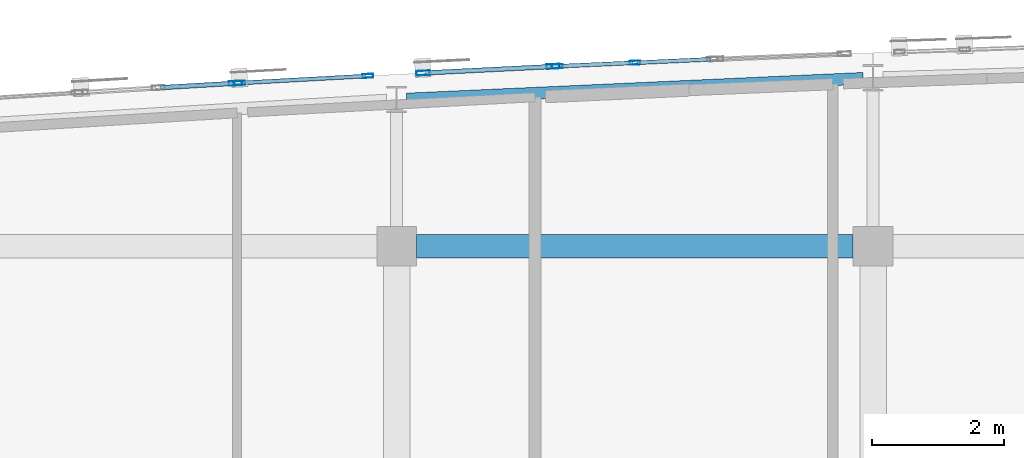
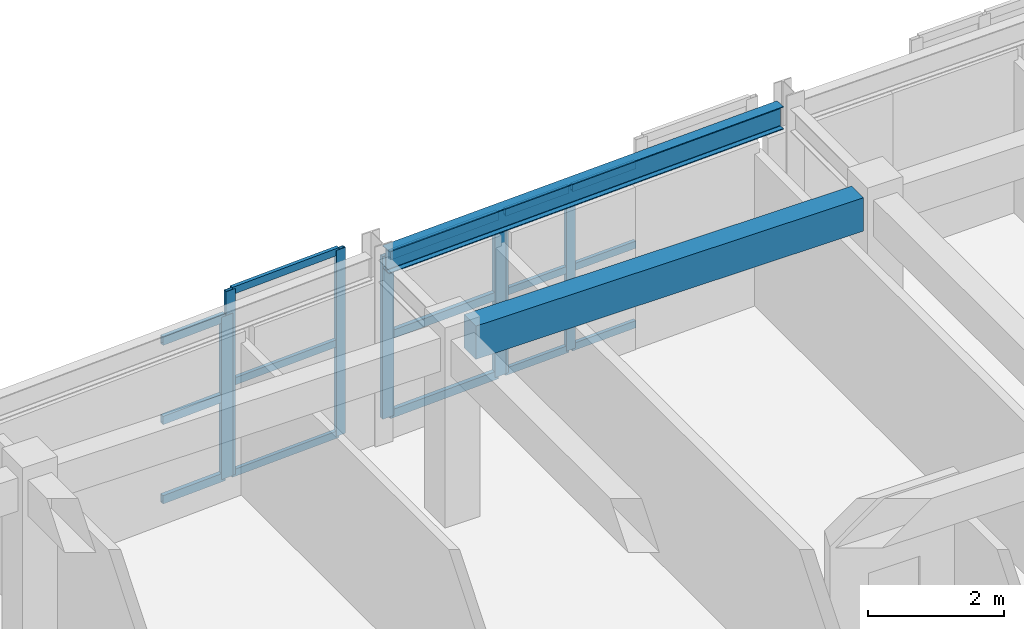
# One storey, part 14 of 50: 22 members, 2 beams, 4 elements without a shape of their own.
"""IFC4 building model written with IfcOpenShell, lengths in metres."""

import ifcopenshell
import ifcopenshell.guid

model = None  # the IFC model being written
_history = None  # IfcOwnerHistory: only IFC2X3 demands one
_inside = {}  # id of a spatial element -> (the spatial element, [elements in it])
_under = {}  # id of a project, library or spatial element -> (it, [spatial elements below it])
_declared = {}  # id of a project -> (the project, [libraries it declares])
_typed = {}  # id of a type object -> (the type object, [elements of that type])
_made_of = {}  # id of a material, layer set ... -> (it, [elements and type objects made of it])


def new_model(schema):
    """Start an empty IFC model of exactly this schema.

    Asked for "IFC4X3", IfcOpenShell would pick the latest addendum, in which some entities
    have other attributes; the version numbers below select the first issue.
    IFC2X3 requires an IfcOwnerHistory on every rooted entity: one is made here for all.
    """
    global model, _history
    if schema == "IFC4X3":
        model = ifcopenshell.file(schema_version=(4, 3, 0, 0))
    else:
        model = ifcopenshell.file(schema=schema)
    _inside.clear()
    _under.clear()
    _declared.clear()
    _typed.clear()
    _made_of.clear()
    _history = None
    if model.schema == "IFC2X3":
        org = make("IfcOrganization", Name="unknown")
        user = make(
            "IfcPersonAndOrganization",
            ThePerson=make("IfcPerson", FamilyName="unknown"),
            TheOrganization=org,
        )
        app = make(
            "IfcApplication",
            ApplicationDeveloper=org,
            Version="unknown",
            ApplicationFullName="unknown",
            ApplicationIdentifier="unknown",
        )
        _history = make(
            "IfcOwnerHistory",
            OwningUser=user,
            OwningApplication=app,
            ChangeAction="ADDED",
            CreationDate=0,
        )
    return model


def make(cls, **values):
    """One entity of the class cls with the attributes given. An attribute that is None is left unset."""
    return model.create_entity(
        cls, **{name: value for name, value in values.items() if value is not None}
    )


def rooted(cls, **values):
    """An entity with a GlobalId (a new one), such as an element, a storey or a relation."""
    return make(cls, GlobalId=ifcopenshell.guid.new(), OwnerHistory=_history, **values)


def si_unit(unit_type, name, prefix=None):
    """IfcSIUnit, for example si_unit("LENGTHUNIT", "METRE", prefix="MILLI")."""
    return make("IfcSIUnit", UnitType=unit_type, Prefix=prefix, Name=name)


def assignment(units):
    """IfcUnitAssignment: the units of a project."""
    return None if units is None else make("IfcUnitAssignment", Units=units)


def point(xyz):
    """IfcCartesianPoint."""
    return None if xyz is None else make("IfcCartesianPoint", Coordinates=xyz)


def direction(xyz):
    """IfcDirection."""
    return None if xyz is None else make("IfcDirection", DirectionRatios=xyz)


def frame(location, z_axis=None, x_axis=None):
    """IfcAxis2Placement3D, a coordinate frame: its origin and axes. An axis left out is left unset."""
    return make(
        "IfcAxis2Placement3D",
        Location=point(location),
        Axis=direction(z_axis),
        RefDirection=direction(x_axis),
    )


def frame_2d(location, x_axis=None):
    """IfcAxis2Placement2D, a coordinate frame in the plane: its origin and x axis."""
    return make(
        "IfcAxis2Placement2D", Location=point(location), RefDirection=direction(x_axis)
    )


def origin():
    """The frame at (0, 0, 0) with its axes left unset."""
    return frame((0.0, 0.0, 0.0))


def origin_2d():
    """The frame at (0, 0) in the plane with its x axis left unset."""
    return frame_2d((0.0, 0.0))


def place(relative_to, where):
    """IfcLocalPlacement: puts the frame where relative to a parent placement (None: the world)."""
    return make(
        "IfcLocalPlacement", PlacementRelTo=relative_to, RelativePlacement=where
    )


def context(
    kind, dimensions, precision=None, world=None, true_north=None, identifier=None
):
    """IfcGeometricRepresentationContext, for example the 3D "Model" context."""
    return make(
        "IfcGeometricRepresentationContext",
        ContextIdentifier=identifier,
        ContextType=kind,
        CoordinateSpaceDimension=dimensions,
        Precision=precision,
        WorldCoordinateSystem=world,
        TrueNorth=true_north,
    )


def subcontext(parent, identifier, kind, view, scale=None):
    """IfcGeometricRepresentationSubContext, for example "Body" below "Model"."""
    return make(
        "IfcGeometricRepresentationSubContext",
        ContextIdentifier=identifier,
        ContextType=kind,
        ParentContext=parent,
        TargetScale=scale,
        TargetView=view,
    )


def project(units=None, contexts=None):
    """IfcProject with its units and contexts."""
    return rooted(
        "IfcProject",
        Name="project",
        RepresentationContexts=contexts,
        UnitsInContext=assignment(units),
    )


def spatial(cls, under=None, at=None, **own):
    """A site, building, storey or space (cls), placed at a placement, below another one or the project."""
    s = rooted(cls, ObjectPlacement=at, **own)
    if under is not None:
        _under.setdefault(under.id(), (under, []))[1].append(s)
    return s


def profile(cls, at=None, kind="AREA", **sizes):
    """A parametric profile (cls). Its sizes go by their IFC names, for example OverallWidth=200.0."""
    return make(cls, ProfileType=kind, Position=at, **sizes)


def rectangle(**sizes):
    """IfcRectangleProfileDef."""
    return profile("IfcRectangleProfileDef", **sizes)


def hollow_rectangle(**sizes):
    """IfcRectangleHollowProfileDef."""
    return profile("IfcRectangleHollowProfileDef", **sizes)


def i_section(**sizes):
    """IfcIShapeProfileDef."""
    return profile("IfcIShapeProfileDef", **sizes)


def extrude(swept, where, along, depth):
    """IfcExtrudedAreaSolid: the profile swept, set in the frame where, extruded along a direction by depth."""
    return make(
        "IfcExtrudedAreaSolid",
        SweptArea=swept,
        Position=where,
        ExtrudedDirection=direction(along),
        Depth=depth,
    )


def shape(context_of_items, identifier, shape_type, items):
    """IfcShapeRepresentation: the items that make up one representation, for example the "Body"."""
    return make(
        "IfcShapeRepresentation",
        ContextOfItems=context_of_items,
        RepresentationIdentifier=identifier,
        RepresentationType=shape_type,
        Items=items,
    )


def material(Name=None, Category=None):
    """IfcMaterial."""
    return make("IfcMaterial", Name=Name, Category=Category)


def layer(
    of_material, thickness, ventilated=None, Name=None, Category=None, Priority=None
):
    """IfcMaterialLayer: one layer of a wall or slab, of a material (None: an air gap)."""
    return make(
        "IfcMaterialLayer",
        Material=of_material,
        LayerThickness=thickness,
        IsVentilated=ventilated,
        Name=Name,
        Category=Category,
        Priority=Priority,
    )


def layer_set(layers, Name=None):
    """IfcMaterialLayerSet."""
    return make("IfcMaterialLayerSet", MaterialLayers=layers, LayerSetName=Name)


def material_profile(
    of_material, cross_section, Name=None, Category=None, Priority=None
):
    """IfcMaterialProfile: a cross section and its material."""
    return make(
        "IfcMaterialProfile",
        Name=Name,
        Material=of_material,
        Profile=cross_section,
        Priority=Priority,
        Category=Category,
    )


def profile_set(profiles, Name=None, composite=None):
    """IfcMaterialProfileSet."""
    return make(
        "IfcMaterialProfileSet",
        Name=Name,
        MaterialProfiles=profiles,
        CompositeProfile=composite,
    )


def made_of(thing, what):
    """Note that an element or type object is made of a material, layer set ...; save() writes the relation."""
    if what is not None:
        _made_of.setdefault(what.id(), (what, []))[1].append(thing)
    return thing


def type_object(cls, material=None, **own):
    """A type object (cls), such as IfcWallType, which elements share."""
    return made_of(rooted(cls, **own), material)


def element(
    cls,
    number,
    at=None,
    inside=None,
    cuts=None,
    type_object=None,
    material=None,
    context=None,
    identifier="Body",
    shape_type=None,
    held_by="IfcProductDefinitionShape",
    body=None,
    shapes=None,
    **own,
):
    """One element of the class cls, such as IfcWall. Its Tag is "e" and its number.

    at: its placement. inside: the storey or other place that contains it. cuts: it is an
    opening in that element (IfcRelVoidsElement). A single representation is given by context,
    identifier, shape_type and body (its items); several are given by shapes. held_by: the class
    of the entity that holds the representations. save() writes the other relations.
    """
    e = rooted(cls, Tag="e%d" % number, ObjectPlacement=at, **own)
    if body is not None:
        shapes = [shape(context, identifier, shape_type, body)]
    if shapes is not None:
        e.Representation = make(held_by, Representations=shapes)
    if inside is not None:
        _inside.setdefault(inside.id(), (inside, []))[1].append(e)
    if cuts is not None:
        rooted(
            "IfcRelVoidsElement", RelatingBuildingElement=cuts, RelatedOpeningElement=e
        )
    if type_object is not None:
        _typed.setdefault(type_object.id(), (type_object, []))[1].append(e)
    return made_of(e, material)


def aggregate(whole, parts):
    """IfcRelAggregates: a whole, such as a stair, and the parts it consists of."""
    return rooted("IfcRelAggregates", RelatingObject=whole, RelatedObjects=parts)


def save(model, path):
    """Write the relations noted so far, then the file.

    IfcRelAggregates (storeys below a building ...), IfcRelContainedInSpatialStructure (elements
    in a storey), IfcRelDefinesByType, IfcRelAssociatesMaterial and IfcRelDeclares: one each for
    every whole, place, type object, material and project.
    """
    for whole, parts in _under.values():
        aggregate(whole, parts)
    for where, things in _inside.values():
        rooted(
            "IfcRelContainedInSpatialStructure",
            RelatedElements=things,
            RelatingStructure=where,
        )
    for kind, things in _typed.values():
        rooted("IfcRelDefinesByType", RelatedObjects=things, RelatingType=kind)
    for what, things in _made_of.values():
        rooted("IfcRelAssociatesMaterial", RelatedObjects=things, RelatingMaterial=what)
    for by, libraries in _declared.values():
        rooted("IfcRelDeclares", RelatingContext=by, RelatedDefinitions=libraries)
    model.write(path)


model = new_model("IFC4")

# Units and contexts
model_context = context("Model", 3, precision=1e-05, world=origin(), true_north=direction((0.0, 1.0)))
body_context = subcontext(model_context, "Body", "Model", "MODEL_VIEW")
ifc_project = project(units=[si_unit("LENGTHUNIT", "METRE"), si_unit("AREAUNIT", "SQUARE_METRE"), si_unit("VOLUMEUNIT", "CUBIC_METRE"), si_unit("PLANEANGLEUNIT", "RADIAN"), si_unit("MASSUNIT", "GRAM", prefix="KILO")], contexts=[model_context])

# Site, building, storey
site_placement = place(None, origin())
site = spatial("IfcSite", under=ifc_project, at=site_placement, CompositionType="ELEMENT")
building_placement = place(site_placement, origin())
building = spatial("IfcBuilding", under=site, at=building_placement, Name="Carrowvane Square Congress Hotel", CompositionType="ELEMENT")
storey_placement = place(building_placement, frame((0.0, 0.0, 22.800048828125)))
storey = spatial("IfcBuildingStorey", under=building, at=storey_placement, Name="L05", CompositionType="ELEMENT", Elevation=22.800048828125)

# Beams
ifc_material_1 = material(Name="Concrete C35/45", Category="concrete")
ifc_material_profile_1 = material_profile(ifc_material_1, rectangle(XDim=0.35009765625, YDim=0.60009765625, at=origin_2d()), Name="RC 350x600")
ifc_profile_set_1 = profile_set([ifc_material_profile_1], Name="Concrete C35/45")
beam_type_1 = type_object("IfcBeamType", Name="BM-RC-350x600", PredefinedType="BEAM", material=ifc_profile_set_1)
beam_1_placement = place(storey_placement, frame((76.699951171875, 113.39990234375, 3.050048828125), z_axis=(1.0, 0.0, 0.0), x_axis=(0.0, 1.0, 0.0)))
element("IfcBeam", 1, at=beam_1_placement, inside=storey, type_object=beam_type_1, Name="L06 girder R/10-11", PredefinedType="BEAM", context=body_context, shape_type="SweptSolid", body=[
    extrude(rectangle(XDim=0.35009765625, YDim=0.60009765625, at=origin_2d()), origin(), (0.0, 0.0, 1.0), 6.60009765625),
])
ifc_material_2 = material(Name="Steel S355", Category="steel")
ifc_material_profile_2 = material_profile(ifc_material_2, i_section(OverallWidth=0.1787109375, OverallDepth=0.409423828125, WebThickness=0.0087890625, FlangeThickness=0.014404296875, FilletRadius=0.01025390625, at=origin_2d()), Name="UKB 406x178x67")
ifc_profile_set_2 = profile_set([ifc_material_profile_2], Name="Steel S355")
beam_type_2 = type_object("IfcBeamType", Name="BM-ST-UKB406", PredefinedType="BEAM", material=ifc_profile_set_2)
beam_2_placement = place(storey_placement, frame((76.5498046875, 115.62451171875, 3.145263671875), z_axis=(0.998974507316, 0.045276193882, 0.0), x_axis=(-0.045276193882, 0.998974507316, 0.0)))
element("IfcBeam", 2, at=beam_2_placement, inside=storey, type_object=beam_type_2, Name="L06 curved north spandrel", PredefinedType="BEAM", context=body_context, shape_type="SweptSolid", body=[
    extrude(i_section(OverallWidth=0.1787109375, OverallDepth=0.409423828125, WebThickness=0.0087890625, FlangeThickness=0.014404296875, FilletRadius=0.01025390625, at=origin_2d()), origin(), (0.0, 0.0, 1.0), 6.907470703125),
])

# Curtain wall, members
ifc_material_3 = material(Name="Anodised aluminium", Category="aluminium")
ifc_layer_1 = layer(ifc_material_3, 0.18603515625)
ifc_layer_set_1 = layer_set([ifc_layer_1], Name="Anodised aluminium")
curtain_wall_type_1 = type_object("IfcCurtainWallType", Name="CW-SYS-3", PredefinedType="NOTDEFINED", material=ifc_layer_set_1)
curtain_wall_1_placement = place(storey_placement, origin())
curtain_wall_1 = element("IfcCurtainWall", 3, at=curtain_wall_1_placement, inside=storey, type_object=curtain_wall_type_1, Name="L05 unitised curtain wall 322", PredefinedType="NOTDEFINED")
ifc_material_4 = material(Name="Anodised aluminium", Category="aluminium")
ifc_material_profile_3 = material_profile(ifc_material_4, hollow_rectangle(XDim=0.06005859375, YDim=0.159912109375, WallThickness=0.00390625, at=origin_2d()), Name="CW-ML 60x160x4")
ifc_profile_set_3 = profile_set([ifc_material_profile_3], Name="Anodised aluminium")
member_type_1 = type_object("IfcMemberType", Name="CW-MUL-1", PredefinedType="MULLION", material=ifc_profile_set_3)
member_1_placement = place(storey_placement, frame((74.030029296875, 115.867431640625, 0.0), z_axis=(0.0, 0.0, 1.0), x_axis=(-0.054815980317, 0.998496473856, 0.0)))
member_1 = element("IfcMember", 4, at=member_1_placement, type_object=member_type_1, Name="CW-3 mullion 1", PredefinedType="MULLION", context=body_context, shape_type="SweptSolid", body=[
    extrude(hollow_rectangle(XDim=0.06005859375, YDim=0.159912109375, WallThickness=0.00390625, at=origin_2d()), origin(), (0.0, 0.0, 1.0), 3.349853515625),
])
member_2_placement = place(storey_placement, frame((75.965576171875, 115.9736328125, 0.0), z_axis=(0.0, 0.0, 1.0), x_axis=(-0.054815980317, 0.998496473856, 0.0)))
member_2 = element("IfcMember", 5, at=member_2_placement, type_object=member_type_1, Name="CW-3 mullion 2", PredefinedType="MULLION", context=body_context, shape_type="SweptSolid", body=[
    extrude(hollow_rectangle(XDim=0.06005859375, YDim=0.159912109375, WallThickness=0.00390625, at=origin_2d()), origin(), (0.0, 0.0, 1.0), 3.349853515625),
])

ifc_material_5 = material(Name="Anodised aluminium", Category="aluminium")
ifc_layer_2 = layer(ifc_material_5, 0.2099609375)
ifc_layer_set_2 = layer_set([ifc_layer_2], Name="Anodised aluminium")
curtain_wall_type_2 = type_object("IfcCurtainWallType", Name="CW-SYS-5", PredefinedType="NOTDEFINED", material=ifc_layer_set_2)
curtain_wall_2_placement = place(storey_placement, origin())
curtain_wall_2 = element("IfcCurtainWall", 6, at=curtain_wall_2_placement, inside=storey, type_object=curtain_wall_type_2, Name="L05 unitised curtain wall 324", PredefinedType="NOTDEFINED")
member_3_placement = place(storey_placement, frame((78.830078125, 116.119873046875, 0.0), z_axis=(0.0, 0.0, 1.0), x_axis=(-0.045411059449, 0.998968385726, 0.0)))
member_3 = element("IfcMember", 7, at=member_3_placement, type_object=member_type_1, Name="CW-5 mullion 1", PredefinedType="MULLION", context=body_context, shape_type="SweptSolid", body=[
    extrude(hollow_rectangle(XDim=0.06005859375, YDim=0.159912109375, WallThickness=0.00390625, at=origin_2d()), origin(), (0.0, 0.0, 1.0), 2.925537109375),
])
member_4_placement = place(storey_placement, frame((80.0, 116.173095703125, 0.0), z_axis=(0.0, 0.0, 1.0), x_axis=(-0.045411059449, 0.998968385726, 0.0)))
member_4 = element("IfcMember", 8, at=member_4_placement, type_object=member_type_1, Name="CW-5 mullion 2", PredefinedType="MULLION", context=body_context, shape_type="SweptSolid", body=[
    extrude(hollow_rectangle(XDim=0.06005859375, YDim=0.159912109375, WallThickness=0.00390625, at=origin_2d()), origin(), (0.0, 0.0, 1.0), 2.925537109375),
])

# Curtain wall, member
ifc_material_6 = material(Name="Anodised aluminium", Category="aluminium")
ifc_layer_3 = layer(ifc_material_6, 0.174072265625)
ifc_layer_set_3 = layer_set([ifc_layer_3], Name="Anodised aluminium")
curtain_wall_type_3 = type_object("IfcCurtainWallType", Name="CW-SYS-2", PredefinedType="NOTDEFINED", material=ifc_layer_set_3)
curtain_wall_3_placement = place(storey_placement, origin())
curtain_wall_3 = element("IfcCurtainWall", 9, at=curtain_wall_3_placement, inside=storey, type_object=curtain_wall_type_3, Name="L05 unitised curtain wall 321", PredefinedType="NOTDEFINED")
ifc_material_7 = material(Name="Anodised aluminium", Category="aluminium")
ifc_material_profile_4 = material_profile(ifc_material_7, hollow_rectangle(XDim=0.070068359375, YDim=0.199951171875, WallThickness=0.0048828125, at=origin_2d()), Name="CW-ML 70x200x5")
ifc_profile_set_4 = profile_set([ifc_material_profile_4], Name="Anodised aluminium")
member_type_2 = type_object("IfcMemberType", Name="CW-MUL-2", PredefinedType="MULLION", material=ifc_profile_set_4)
member_5_placement = place(storey_placement, frame((73.965087890625, 115.86376953125, 0.0), z_axis=(0.0, 0.0, 1.0), x_axis=(-0.058851249486, 0.998266763162, 0.0)))
member_5 = element("IfcMember", 10, at=member_5_placement, type_object=member_type_2, Name="CW-2 mullion 3", PredefinedType="MULLION", context=body_context, shape_type="SweptSolid", body=[
    extrude(hollow_rectangle(XDim=0.070068359375, YDim=0.199951171875, WallThickness=0.0048828125, at=origin_2d()), origin(), (0.0, 0.0, 1.0), 2.925537109375),
])

# Curtain wall, members
ifc_material_8 = material(Name="Anodised aluminium", Category="aluminium")
ifc_layer_4 = layer(ifc_material_8, 0.197998046875)
ifc_layer_set_4 = layer_set([ifc_layer_4], Name="Anodised aluminium")
curtain_wall_type_4 = type_object("IfcCurtainWallType", Name="CW-SYS-4", PredefinedType="NOTDEFINED", material=ifc_layer_set_4)
curtain_wall_4_placement = place(storey_placement, origin())
curtain_wall_4 = element("IfcCurtainWall", 11, at=curtain_wall_4_placement, inside=storey, type_object=curtain_wall_type_4, Name="L05 unitised curtain wall 323", PredefinedType="NOTDEFINED")
member_6_placement = place(storey_placement, frame((76.799560546875, 116.017822265625, 0.0), z_axis=(0.0, 0.0, 1.0), x_axis=(-0.050323791596, 0.998732955299, 0.0)))
member_6 = element("IfcMember", 12, at=member_6_placement, type_object=member_type_2, Name="CW-4 mullion 1", PredefinedType="MULLION", context=body_context, shape_type="SweptSolid", body=[
    extrude(hollow_rectangle(XDim=0.070068359375, YDim=0.199951171875, WallThickness=0.0048828125, at=origin_2d()), origin(), (0.0, 0.0, 1.0), 2.925537109375),
])
member_7_placement = place(storey_placement, frame((78.764892578125, 116.11669921875, 0.0), z_axis=(0.0, 0.0, 1.0), x_axis=(-0.050323791596, 0.998732955299, 0.0)))
member_7 = element("IfcMember", 13, at=member_7_placement, type_object=member_type_2, Name="CW-4 mullion 2", PredefinedType="MULLION", context=body_context, shape_type="SweptSolid", body=[
    extrude(hollow_rectangle(XDim=0.070068359375, YDim=0.199951171875, WallThickness=0.0048828125, at=origin_2d()), origin(), (0.0, 0.0, 1.0), 2.925537109375),
])

# Member
ifc_material_9 = material(Name="Anodised aluminium", Category="aluminium")
ifc_material_profile_5 = material_profile(ifc_material_9, hollow_rectangle(XDim=0.06005859375, YDim=0.1298828125, WallThickness=0.00390625, at=origin_2d()), Name="CW-TR 60x130x4")
ifc_profile_set_5 = profile_set([ifc_material_profile_5], Name="Anodised aluminium")
member_type_3 = type_object("IfcMemberType", Name="CW-TRN-1", PredefinedType="USERDEFINED", material=ifc_profile_set_5)
member_8_placement = place(storey_placement, frame((74.059814453125, 115.869140625, 0.030029296875), z_axis=(0.99849494655, 0.054843793758, 0.0), x_axis=(-0.054843793758, 0.99849494655, 0.0)))
member_8 = element("IfcMember", 14, at=member_8_placement, type_object=member_type_3, Name="CW-3 transom 1.1", ObjectType="TRANSOM", PredefinedType="USERDEFINED", context=body_context, shape_type="SweptSolid", body=[
    extrude(hollow_rectangle(XDim=0.06005859375, YDim=0.1298828125, WallThickness=0.00390625, at=origin_2d()), origin(), (0.0, 0.0, 1.0), 1.878662109375),
])

member_9_placement = place(storey_placement, frame((74.059814453125, 115.869140625, 1.675048828125), z_axis=(0.99849494655, 0.054843793758, 0.0), x_axis=(-0.054843793758, 0.99849494655, 0.0)))
member_9 = element("IfcMember", 15, at=member_9_placement, type_object=member_type_3, Name="CW-3 transom 1.2", ObjectType="TRANSOM", PredefinedType="USERDEFINED", context=body_context, shape_type="SweptSolid", body=[
    extrude(hollow_rectangle(XDim=0.06005859375, YDim=0.1298828125, WallThickness=0.00390625, at=origin_2d()), origin(), (0.0, 0.0, 1.0), 1.878662109375),
])

member_10_placement = place(storey_placement, frame((74.059814453125, 115.869140625, 3.320068359375), z_axis=(0.99849494655, 0.054843793758, 0.0), x_axis=(-0.054843793758, 0.99849494655, 0.0)))
member_10 = element("IfcMember", 16, at=member_10_placement, type_object=member_type_3, Name="CW-3 transom 1.3", ObjectType="TRANSOM", PredefinedType="USERDEFINED", context=body_context, shape_type="SweptSolid", body=[
    extrude(hollow_rectangle(XDim=0.06005859375, YDim=0.1298828125, WallThickness=0.00390625, at=origin_2d()), origin(), (0.0, 0.0, 1.0), 1.878662109375),
])

aggregate(curtain_wall_1, [member_1, member_2, member_8, member_9, member_10])

member_11_placement = place(storey_placement, frame((78.85986328125, 116.121337890625, 0.030029296875), z_axis=(0.998975323867, 0.045258173899, 0.0), x_axis=(-0.045258173899, 0.998975323867, 0.0)))
member_11 = element("IfcMember", 17, at=member_11_placement, type_object=member_type_3, Name="CW-5 transom 1.1", ObjectType="TRANSOM", PredefinedType="USERDEFINED", context=body_context, shape_type="SweptSolid", body=[
    extrude(hollow_rectangle(XDim=0.06005859375, YDim=0.1298828125, WallThickness=0.00390625, at=origin_2d()), origin(), (0.0, 0.0, 1.0), 1.111328125),
])

member_12_placement = place(storey_placement, frame((78.85986328125, 116.121337890625, 1.462646484375), z_axis=(0.998975323867, 0.045258173899, 0.0), x_axis=(-0.045258173899, 0.998975323867, 0.0)))
member_12 = element("IfcMember", 18, at=member_12_placement, type_object=member_type_3, Name="CW-5 transom 1.2", ObjectType="TRANSOM", PredefinedType="USERDEFINED", context=body_context, shape_type="SweptSolid", body=[
    extrude(hollow_rectangle(XDim=0.06005859375, YDim=0.1298828125, WallThickness=0.00390625, at=origin_2d()), origin(), (0.0, 0.0, 1.0), 1.111328125),
])

member_13_placement = place(storey_placement, frame((78.85986328125, 116.121337890625, 2.8955078125), z_axis=(0.998975323867, 0.045258173899, 0.0), x_axis=(-0.045258173899, 0.998975323867, 0.0)))
member_13 = element("IfcMember", 19, at=member_13_placement, type_object=member_type_3, Name="CW-5 transom 1.3", ObjectType="TRANSOM", PredefinedType="USERDEFINED", context=body_context, shape_type="SweptSolid", body=[
    extrude(hollow_rectangle(XDim=0.06005859375, YDim=0.1298828125, WallThickness=0.00390625, at=origin_2d()), origin(), (0.0, 0.0, 1.0), 1.111328125),
])

member_14_placement = place(storey_placement, frame((80.030029296875, 116.17431640625, 0.030029296875), z_axis=(0.99896536688, 0.045477420485, 0.0), x_axis=(-0.045477420485, 0.99896536688, 0.0)))
member_14 = element("IfcMember", 20, at=member_14_placement, type_object=member_type_3, Name="CW-5 transom 2.1", ObjectType="TRANSOM", PredefinedType="USERDEFINED", context=body_context, shape_type="SweptSolid", body=[
    extrude(hollow_rectangle(XDim=0.06005859375, YDim=0.1298828125, WallThickness=0.00390625, at=origin_2d()), origin(), (0.0, 0.0, 1.0), 1.111328125),
])

member_15_placement = place(storey_placement, frame((80.030029296875, 116.17431640625, 1.462646484375), z_axis=(0.99896536688, 0.045477420485, 0.0), x_axis=(-0.045477420485, 0.99896536688, 0.0)))
member_15 = element("IfcMember", 21, at=member_15_placement, type_object=member_type_3, Name="CW-5 transom 2.2", ObjectType="TRANSOM", PredefinedType="USERDEFINED", context=body_context, shape_type="SweptSolid", body=[
    extrude(hollow_rectangle(XDim=0.06005859375, YDim=0.1298828125, WallThickness=0.00390625, at=origin_2d()), origin(), (0.0, 0.0, 1.0), 1.111328125),
])

member_16_placement = place(storey_placement, frame((80.030029296875, 116.17431640625, 2.8955078125), z_axis=(0.99896536688, 0.045477420485, 0.0), x_axis=(-0.045477420485, 0.99896536688, 0.0)))
member_16 = element("IfcMember", 22, at=member_16_placement, type_object=member_type_3, Name="CW-5 transom 2.3", ObjectType="TRANSOM", PredefinedType="USERDEFINED", context=body_context, shape_type="SweptSolid", body=[
    extrude(hollow_rectangle(XDim=0.06005859375, YDim=0.1298828125, WallThickness=0.00390625, at=origin_2d()), origin(), (0.0, 0.0, 1.0), 1.111328125),
])

aggregate(curtain_wall_2, [member_3, member_4, member_11, member_12, member_13, member_14, member_15, member_16])

ifc_material_10 = material(Name="Anodised aluminium", Category="aluminium")
ifc_material_profile_6 = material_profile(ifc_material_10, hollow_rectangle(XDim=0.070068359375, YDim=0.14990234375, WallThickness=0.0048828125, at=origin_2d()), Name="CW-TR 70x150x5")
ifc_profile_set_6 = profile_set([ifc_material_profile_6], Name="Anodised aluminium")
member_type_4 = type_object("IfcMemberType", Name="CW-TRN-2", PredefinedType="USERDEFINED", material=ifc_profile_set_6)
member_17_placement = place(storey_placement, frame((72.8349609375, 115.797119140625, 0.034912109375), z_axis=(0.998259762999, 0.058969870084, 0.0), x_axis=(-0.058969870084, 0.998259762999, 0.0)))
member_17 = element("IfcMember", 23, at=member_17_placement, type_object=member_type_4, Name="CW-2 transom 2.1", ObjectType="TRANSOM", PredefinedType="USERDEFINED", context=body_context, shape_type="SweptSolid", body=[
    extrude(hollow_rectangle(XDim=0.070068359375, YDim=0.14990234375, WallThickness=0.0048828125, at=origin_2d()), origin(), (0.0, 0.0, 1.0), 1.09716796875),
])

member_18_placement = place(storey_placement, frame((72.8349609375, 115.797119140625, 1.462646484375), z_axis=(0.998259762999, 0.058969870084, 0.0), x_axis=(-0.058969870084, 0.998259762999, 0.0)))
member_18 = element("IfcMember", 24, at=member_18_placement, type_object=member_type_4, Name="CW-2 transom 2.2", ObjectType="TRANSOM", PredefinedType="USERDEFINED", context=body_context, shape_type="SweptSolid", body=[
    extrude(hollow_rectangle(XDim=0.070068359375, YDim=0.14990234375, WallThickness=0.0048828125, at=origin_2d()), origin(), (0.0, 0.0, 1.0), 1.09716796875),
])

member_19_placement = place(storey_placement, frame((72.8349609375, 115.797119140625, 2.890625), z_axis=(0.998259762999, 0.058969870084, 0.0), x_axis=(-0.058969870084, 0.998259762999, 0.0)))
member_19 = element("IfcMember", 25, at=member_19_placement, type_object=member_type_4, Name="CW-2 transom 2.3", ObjectType="TRANSOM", PredefinedType="USERDEFINED", context=body_context, shape_type="SweptSolid", body=[
    extrude(hollow_rectangle(XDim=0.070068359375, YDim=0.14990234375, WallThickness=0.0048828125, at=origin_2d()), origin(), (0.0, 0.0, 1.0), 1.09716796875),
])

aggregate(curtain_wall_3, [member_5, member_17, member_18, member_19])

member_20_placement = place(storey_placement, frame((76.83447265625, 116.01953125, 0.034912109375), z_axis=(0.998734310046, 0.050296897891, 0.0), x_axis=(-0.050296897891, 0.998734310046, 0.0)))
member_20 = element("IfcMember", 26, at=member_20_placement, type_object=member_type_4, Name="CW-4 transom 1.1", ObjectType="TRANSOM", PredefinedType="USERDEFINED", context=body_context, shape_type="SweptSolid", body=[
    extrude(hollow_rectangle(XDim=0.070068359375, YDim=0.14990234375, WallThickness=0.0048828125, at=origin_2d()), origin(), (0.0, 0.0, 1.0), 1.89794921875),
])

member_21_placement = place(storey_placement, frame((76.83447265625, 116.01953125, 1.462646484375), z_axis=(0.998734310046, 0.050296897891, 0.0), x_axis=(-0.050296897891, 0.998734310046, 0.0)))
member_21 = element("IfcMember", 27, at=member_21_placement, type_object=member_type_4, Name="CW-4 transom 1.2", ObjectType="TRANSOM", PredefinedType="USERDEFINED", context=body_context, shape_type="SweptSolid", body=[
    extrude(hollow_rectangle(XDim=0.070068359375, YDim=0.14990234375, WallThickness=0.0048828125, at=origin_2d()), origin(), (0.0, 0.0, 1.0), 1.89794921875),
])

member_22_placement = place(storey_placement, frame((76.83447265625, 116.01953125, 2.890625), z_axis=(0.998734310046, 0.050296897891, 0.0), x_axis=(-0.050296897891, 0.998734310046, 0.0)))
member_22 = element("IfcMember", 28, at=member_22_placement, type_object=member_type_4, Name="CW-4 transom 1.3", ObjectType="TRANSOM", PredefinedType="USERDEFINED", context=body_context, shape_type="SweptSolid", body=[
    extrude(hollow_rectangle(XDim=0.070068359375, YDim=0.14990234375, WallThickness=0.0048828125, at=origin_2d()), origin(), (0.0, 0.0, 1.0), 1.89794921875),
])

aggregate(curtain_wall_4, [member_6, member_7, member_20, member_21, member_22])

save(model, "model.ifc")
